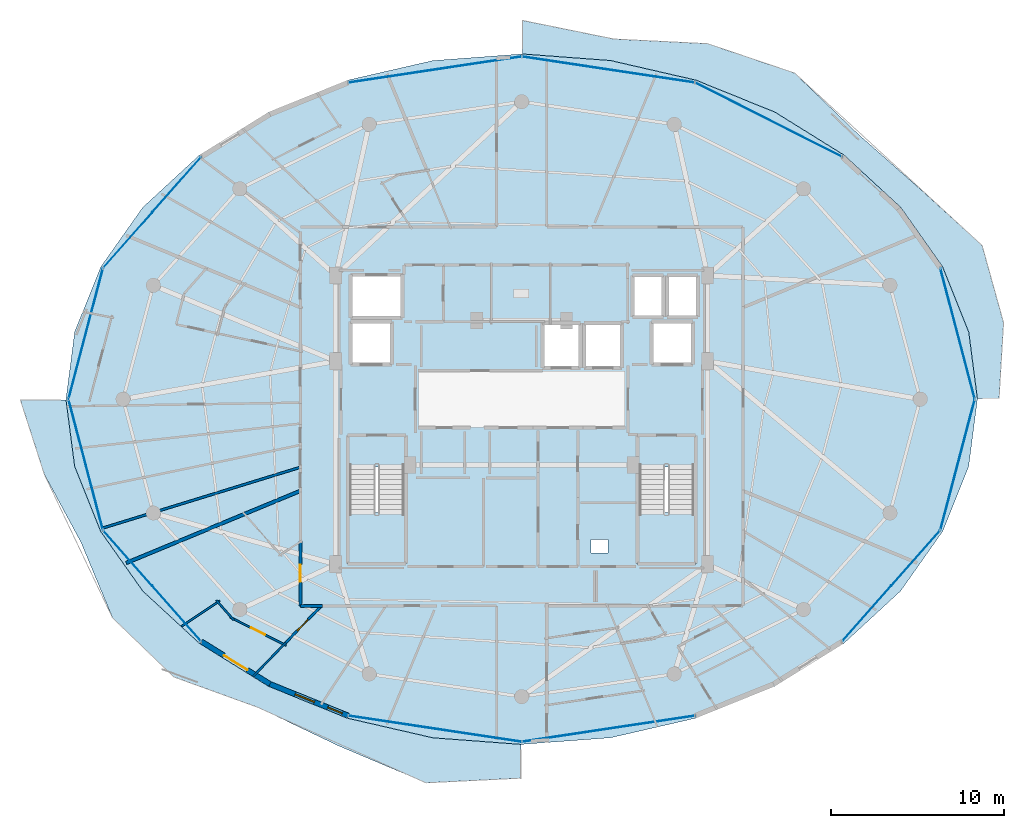
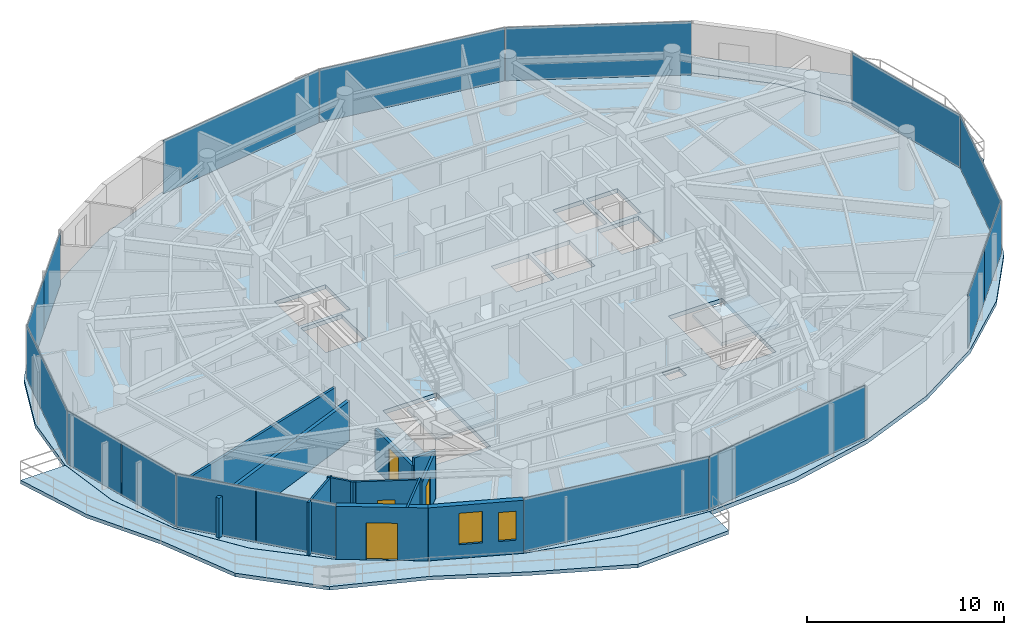
# One storey, part 21 of 30: 16 plates, 11 walls, 5 slabs, 4 doors, 2 windows, 6 openings, 6 elements without a shape of their own.
"""IFC4 building model written with IfcOpenShell, lengths in metres."""

from ifc_helpers import new_model, si_unit, direction, frame, frame_2d, origin, origin_2d, place, context, subcontext, project, spatial, polyline, rectangle, outline, extrude, material, layer, layer_set, type_object, element, fill, aggregate, save


model = new_model("IFC4")

# Units and contexts
model_context = context("Model", 3, precision=1e-05, world=origin(), true_north=direction((0.0, 1.0)))
body_context = subcontext(model_context, "Body", "Model", "MODEL_VIEW")
ifc_project = project(units=[si_unit("LENGTHUNIT", "METRE"), si_unit("AREAUNIT", "SQUARE_METRE"), si_unit("VOLUMEUNIT", "CUBIC_METRE"), si_unit("PLANEANGLEUNIT", "RADIAN"), si_unit("MASSUNIT", "GRAM", prefix="KILO")], contexts=[model_context])

# Site, building, storey
site_placement = place(None, origin())
site = spatial("IfcSite", under=ifc_project, at=site_placement, CompositionType="ELEMENT")
building_placement = place(site_placement, origin())
building = spatial("IfcBuilding", under=site, at=building_placement, Name="Vorneva Point Tower", CompositionType="ELEMENT")
storey_placement = place(building_placement, frame((0.0, 0.0, 252.0)))
storey = spatial("IfcBuildingStorey", under=building, at=storey_placement, Name="L68", CompositionType="ELEMENT", Elevation=252.0)

# Curtain wall, plates
ifc_material_1 = material(Name="Pale anodised aluminium", Category="aluminium")
curtain_wall_type = type_object("IfcCurtainWallType", Name="CW-RES-SYS", PredefinedType="NOTDEFINED", material=ifc_material_1)
curtain_wall_1_placement = place(storey_placement, origin())
curtain_wall_1 = element("IfcCurtainWall", 1, at=curtain_wall_1_placement, inside=storey, type_object=curtain_wall_type, Name="L68 Unitised Curtain Wall CW-L68-R01", PredefinedType="NOTDEFINED")
ifc_material_2 = material(Name="Double low-e laminated glass IGU", Category="glass")
ifc_layer_1 = layer(ifc_material_2, 0.035888671875)
ifc_layer_set_1 = layer_set([ifc_layer_1], Name="Double low-e laminated glass IGU")
plate_type = type_object("IfcPlateType", Name="CW-PNL-VIS", PredefinedType="CURTAIN_PANEL", material=ifc_layer_set_1)
plate_1_placement = place(storey_placement, frame((57.946044921875, 13.598876953125, -0.02001953125), z_axis=(0.0, 0.0, 1.0), x_axis=(0.662188570806, 0.749337238294, 0.0)))
plate_1 = element("IfcPlate", 2, at=plate_1_placement, type_object=plate_type, Name="CW-L68-R01 Glazed Panel 01A", PredefinedType="CURTAIN_PANEL", context=body_context, shape_type="SweptSolid", body=[
    extrude(rectangle(XDim=4.23828125, YDim=0.035888671875, at=origin_2d()), origin(), (0.0, 0.0, 1.0), 3.330078125),
])
plate_2_placement = place(storey_placement, frame((60.785888671875, 16.812255859375, -0.02001953125), z_axis=(0.0, 0.0, 1.0), x_axis=(0.662188570806, 0.749337238294, 0.0)))
plate_2 = element("IfcPlate", 3, at=plate_2_placement, type_object=plate_type, Name="CW-L68-R01 Glazed Panel 01B", PredefinedType="CURTAIN_PANEL", context=body_context, shape_type="SweptSolid", body=[
    extrude(rectangle(XDim=4.23828125, YDim=0.035888671875, at=origin_2d()), origin(), (0.0, 0.0, 1.0), 3.330078125),
])
plate_3_placement = place(storey_placement, frame((63.202880859375, 22.20947265625, -0.02001953125), z_axis=(0.0, 0.0, 1.0), x_axis=(0.254416284022, 0.967094801157, 0.0)))
plate_3 = element("IfcPlate", 4, at=plate_3_placement, type_object=plate_type, Name="CW-L68-R01 Glazed Panel 02", PredefinedType="CURTAIN_PANEL", context=body_context, shape_type="SweptSolid", body=[
    extrude(rectangle(XDim=7.7890625, YDim=0.035888671875, at=origin_2d()), origin(), (0.0, 0.0, 1.0), 3.330078125),
])
plate_4_placement = place(storey_placement, frame((63.202880859375, 29.79052734375, -0.02001953125), z_axis=(0.0, 0.0, 1.0), x_axis=(-0.254416284022, 0.967094801157, 0.0)))
plate_4 = element("IfcPlate", 5, at=plate_4_placement, type_object=plate_type, Name="CW-L68-R01 Glazed Panel 03", PredefinedType="CURTAIN_PANEL", context=body_context, shape_type="SweptSolid", body=[
    extrude(rectangle(XDim=7.7890625, YDim=0.035888671875, at=origin_2d()), origin(), (0.0, 0.0, 1.0), 3.330078125),
])
aggregate(curtain_wall_1, [plate_1, plate_2, plate_3, plate_4])

curtain_wall_2_placement = place(storey_placement, origin())
curtain_wall_2 = element("IfcCurtainWall", 6, at=curtain_wall_2_placement, inside=storey, type_object=curtain_wall_type, Name="L68 Unitised Curtain Wall CW-L68-R02", PredefinedType="NOTDEFINED")
plate_5_placement = place(storey_placement, frame((52.2763671875, 42.15478515625, -0.02001953125), z_axis=(0.0, 0.0, 1.0), x_axis=(-0.892554339087, 0.450939853836, 0.0)))
plate_5 = element("IfcPlate", 7, at=plate_5_placement, type_object=plate_type, Name="CW-L68-R02 Glazed Panel 01", PredefinedType="CURTAIN_PANEL", context=body_context, shape_type="SweptSolid", body=[
    extrude(rectangle(XDim=9.47314453125, YDim=0.035888671875, at=origin_2d()), origin(), (0.0, 0.0, 1.0), 3.330078125),
])
plate_6_placement = place(storey_placement, frame((43.01318359375, 45.055908203125, -0.02001953125), z_axis=(0.0, 0.0, 1.0), x_axis=(-0.988878712919, 0.148724211669, 0.0)))
plate_6 = element("IfcPlate", 8, at=plate_6_placement, type_object=plate_type, Name="CW-L68-R02 Glazed Panel 02", PredefinedType="CURTAIN_PANEL", context=body_context, shape_type="SweptSolid", body=[
    extrude(rectangle(XDim=10.089111328125, YDim=0.035888671875, at=origin_2d()), origin(), (0.0, 0.0, 1.0), 3.330078125),
])
plate_7_placement = place(storey_placement, frame((32.98681640625, 45.055908203125, -0.02001953125), z_axis=(0.0, 0.0, 1.0), x_axis=(-0.988878712919, -0.148724211669, 0.0)))
plate_7 = element("IfcPlate", 9, at=plate_7_placement, type_object=plate_type, Name="CW-L68-R02 Glazed Panel 03", PredefinedType="CURTAIN_PANEL", context=body_context, shape_type="SweptSolid", body=[
    extrude(rectangle(XDim=10.089111328125, YDim=0.035888671875, at=origin_2d()), origin(), (0.0, 0.0, 1.0), 3.330078125),
])
aggregate(curtain_wall_2, [plate_5, plate_6, plate_7])

curtain_wall_3_placement = place(storey_placement, origin())
curtain_wall_3 = element("IfcCurtainWall", 10, at=curtain_wall_3_placement, inside=storey, type_object=curtain_wall_type, Name="L68 Unitised Curtain Wall CW-L68-R03", PredefinedType="NOTDEFINED")
plate_8_placement = place(storey_placement, frame((18.053955078125, 38.401123046875, -0.02001953125), z_axis=(0.0, 0.0, 1.0), x_axis=(-0.662188570806, -0.749337238294, 0.0)))
plate_8 = element("IfcPlate", 11, at=plate_8_placement, type_object=plate_type, Name="CW-L68-R03 Glazed Panel 01A", PredefinedType="CURTAIN_PANEL", context=body_context, shape_type="SweptSolid", body=[
    extrude(rectangle(XDim=4.23828125, YDim=0.035888671875, at=origin_2d()), origin(), (0.0, 0.0, 1.0), 3.330078125),
])
plate_9_placement = place(storey_placement, frame((15.214111328125, 35.187744140625, -0.02001953125), z_axis=(0.0, 0.0, 1.0), x_axis=(-0.662188570806, -0.749337238294, 0.0)))
plate_9 = element("IfcPlate", 12, at=plate_9_placement, type_object=plate_type, Name="CW-L68-R03 Glazed Panel 01B", PredefinedType="CURTAIN_PANEL", context=body_context, shape_type="SweptSolid", body=[
    extrude(rectangle(XDim=4.23828125, YDim=0.035888671875, at=origin_2d()), origin(), (0.0, 0.0, 1.0), 3.330078125),
])
plate_10_placement = place(storey_placement, frame((12.797119140625, 29.79052734375, -0.02001953125), z_axis=(0.0, 0.0, 1.0), x_axis=(-0.254416284022, -0.967094801157, 0.0)))
plate_10 = element("IfcPlate", 13, at=plate_10_placement, type_object=plate_type, Name="CW-L68-R03 Glazed Panel 02", PredefinedType="CURTAIN_PANEL", context=body_context, shape_type="SweptSolid", body=[
    extrude(rectangle(XDim=7.7890625, YDim=0.035888671875, at=origin_2d()), origin(), (0.0, 0.0, 1.0), 3.330078125),
])
plate_11_placement = place(storey_placement, frame((12.298583984375, 24.104736328125, -0.02001953125), z_axis=(0.0, 0.0, 1.0), x_axis=(0.254416284022, -0.967094801157, 0.0)))
plate_11 = element("IfcPlate", 14, at=plate_11_placement, type_object=plate_type, Name="CW-L68-R03 Glazed Panel 03A", PredefinedType="CURTAIN_PANEL", context=body_context, shape_type="SweptSolid", body=[
    extrude(rectangle(XDim=3.869384765625, YDim=0.035888671875, at=origin_2d()), origin(), (0.0, 0.0, 1.0), 3.330078125),
])
plate_12_placement = place(storey_placement, frame((13.2958984375, 20.314208984375, -0.02001953125), z_axis=(0.0, 0.0, 1.0), x_axis=(0.254416284022, -0.967094801157, 0.0)))
plate_12 = element("IfcPlate", 15, at=plate_12_placement, type_object=plate_type, Name="CW-L68-R03 Glazed Panel 03B", PredefinedType="CURTAIN_PANEL", context=body_context, shape_type="SweptSolid", body=[
    extrude(rectangle(XDim=3.869384765625, YDim=0.035888671875, at=origin_2d()), origin(), (0.0, 0.0, 1.0), 3.330078125),
])
plate_13_placement = place(storey_placement, frame((15.214111328125, 16.812255859375, -0.02001953125), z_axis=(0.0, 0.0, 1.0), x_axis=(0.662188570806, -0.749337238294, 0.0)))
plate_13 = element("IfcPlate", 16, at=plate_13_placement, type_object=plate_type, Name="CW-L68-R03 Glazed Panel 04A", PredefinedType="CURTAIN_PANEL", context=body_context, shape_type="SweptSolid", body=[
    extrude(rectangle(XDim=4.23828125, YDim=0.035888671875, at=origin_2d()), origin(), (0.0, 0.0, 1.0), 3.330078125),
])
plate_14_placement = place(storey_placement, frame((18.053955078125, 13.598876953125, -0.02001953125), z_axis=(0.0, 0.0, 1.0), x_axis=(0.662188570806, -0.749337238294, 0.0)))
plate_14 = element("IfcPlate", 17, at=plate_14_placement, type_object=plate_type, Name="CW-L68-R03 Glazed Panel 04B", PredefinedType="CURTAIN_PANEL", context=body_context, shape_type="SweptSolid", body=[
    extrude(rectangle(XDim=4.23828125, YDim=0.035888671875, at=origin_2d()), origin(), (0.0, 0.0, 1.0), 3.330078125),
])
aggregate(curtain_wall_3, [plate_8, plate_9, plate_10, plate_11, plate_12, plate_13, plate_14])

curtain_wall_4_placement = place(storey_placement, origin())
curtain_wall_4 = element("IfcCurtainWall", 18, at=curtain_wall_4_placement, inside=storey, type_object=curtain_wall_type, Name="L68 Unitised Curtain Wall CW-L68-R04", PredefinedType="NOTDEFINED")
plate_15_placement = place(storey_placement, frame((32.98681640625, 6.944091796875, -0.02001953125), z_axis=(0.0, 0.0, 1.0), x_axis=(0.988878712919, -0.148724211669, 0.0)))
plate_15 = element("IfcPlate", 19, at=plate_15_placement, type_object=plate_type, Name="CW-L68-R04 Glazed Panel 01", PredefinedType="CURTAIN_PANEL", context=body_context, shape_type="SweptSolid", body=[
    extrude(rectangle(XDim=10.089111328125, YDim=0.035888671875, at=origin_2d()), origin(), (0.0, 0.0, 1.0), 3.330078125),
])
plate_16_placement = place(storey_placement, frame((43.01318359375, 6.944091796875, -0.02001953125), z_axis=(0.0, 0.0, 1.0), x_axis=(0.988878712919, 0.148724211669, 0.0)))
plate_16 = element("IfcPlate", 20, at=plate_16_placement, type_object=plate_type, Name="CW-L68-R04 Glazed Panel 02", PredefinedType="CURTAIN_PANEL", context=body_context, shape_type="SweptSolid", body=[
    extrude(rectangle(XDim=10.089111328125, YDim=0.035888671875, at=origin_2d()), origin(), (0.0, 0.0, 1.0), 3.330078125),
])
aggregate(curtain_wall_4, [plate_15, plate_16])

# Slabs
ifc_material_3 = material(Name="Concrete B50 (C40/50)", Category="concrete")
ifc_layer_2 = layer(ifc_material_3, 0.219970703125)
ifc_layer_set_2 = layer_set([ifc_layer_2], Name="Concrete B50 (C40/50)")
slab_type_1 = type_object("IfcSlabType", Name="SLB-BAL-220", PredefinedType="FLOOR", material=ifc_layer_set_2)
slab_1_placement = place(storey_placement, frame((0.0, 0.0, -0.219970703125)))
element("IfcSlab", 21, at=slab_1_placement, inside=storey, type_object=slab_type_1, Name="L68 Cantilevered Wave Balcony NE", PredefinedType="FLOOR", context=body_context, shape_type="SweptSolid", body=[
    extrude(outline(polyline([(38.050048828125, 47.89990234375), (38.050048828125, 45.960205078125), (43.140869140625, 45.58056640625), (43.14111328125, 45.58056640625), (43.1416015625, 45.580322265625), (48.084716796875, 44.444580078125), (48.0849609375, 44.4443359375), (48.085205078125, 44.4443359375), (52.640869140625, 42.599853515625), (52.64111328125, 42.599609375), (52.641357421875, 42.599609375), (56.634521484375, 40.1171875), (56.634765625, 40.1171875), (56.635009765625, 40.11669921875), (59.911865234375, 37.092041015625), (59.912109375, 37.091796875), (59.91259765625, 37.091552734375), (62.347412109375, 33.640625), (62.34765625, 33.640380859375), (62.347900390625, 33.639892578125), (63.847412109375, 29.8955078125), (63.847412109375, 29.895263671875), (63.84765625, 29.894775390625), (63.84765625, 29.89453125), (64.347412109375, 26.050048828125), (65.60302734375, 26.050048828125), (65.86181640625, 30.424072265625), (64.62255859375, 34.88427734375), (61.079833984375, 38.121826171875), (57.5107421875, 41.273681640625), (53.78271484375, 44.855224609375), (48.747802734375, 46.556884765625), (43.328857421875, 46.82568359375), (38.050048828125, 47.89990234375)])), origin(), (0.0, 0.0, 1.0), 0.219970703125),
])
slab_2_placement = place(storey_placement, frame((0.0, 0.0, -0.219970703125)))
element("IfcSlab", 22, at=slab_2_placement, inside=storey, type_object=slab_type_1, Name="L68 Cantilevered Wave Balcony SW", PredefinedType="FLOOR", context=body_context, shape_type="SweptSolid", body=[
    extrude(outline(polyline([(37.949951171875, 4.08740234375), (37.949951171875, 6.039794921875), (32.859130859375, 6.41943359375), (32.85888671875, 6.41943359375), (32.8583984375, 6.419677734375), (27.915283203125, 7.555419921875), (27.9150390625, 7.5556640625), (27.914794921875, 7.5556640625), (23.359130859375, 9.400146484375), (23.35888671875, 9.400390625), (23.358642578125, 9.400390625), (19.365478515625, 11.8828125), (19.365234375, 11.8828125), (19.364990234375, 11.88330078125), (16.088134765625, 14.907958984375), (16.087890625, 14.908203125), (16.08740234375, 14.908447265625), (13.652587890625, 18.359375), (13.65234375, 18.359619140625), (13.652099609375, 18.360107421875), (12.152587890625, 22.1044921875), (12.152587890625, 22.104736328125), (12.15234375, 22.105224609375), (12.15234375, 22.10546875), (11.652587890625, 25.949951171875), (9.01611328125, 25.949951171875), (10.40234375, 21.6455078125), (12.51220703125, 17.736328125), (14.3369140625, 13.363525390625), (17.891357421875, 9.937255859375), (22.742919921875, 8.183349609375), (27.41259765625, 5.954345703125), (32.466552734375, 3.81640625), (37.949951171875, 4.08740234375)])), origin(), (0.0, 0.0, 1.0), 0.219970703125),
])

# Stair, slab
stair_type = type_object("IfcStairType", Name="ST-DOG-1500", PredefinedType="HALF_TURN_STAIR", material=ifc_material_3)
stair_1_placement = place(storey_placement, origin())
stair_1 = element("IfcStair", 23, at=stair_1_placement, inside=storey, type_object=stair_type, Name="L68 ST1", PredefinedType="HALF_TURN_STAIR")
ifc_layer_3 = layer(ifc_material_3, 0.199951171875)
ifc_layer_set_3 = layer_set([ifc_layer_3], Name="Concrete B50 (C40/50)")
slab_type_2 = type_object("IfcSlabType", Name="SLB-LND-200", PredefinedType="LANDING", material=ifc_layer_set_3)
slab_3_placement = place(storey_placement, frame((0.0, 0.0, 1.574951171875)))
slab_3 = element("IfcSlab", 24, at=slab_3_placement, type_object=slab_type_2, Name="ST1 landing 1", PredefinedType="LANDING", context=body_context, shape_type="SweptSolid", body=[
    extrude(outline(polyline([(27.929931640625, 16.47998046875), (31.320068359375, 16.47998046875), (31.320068359375, 19.43994140625), (27.929931640625, 19.43994140625), (27.929931640625, 16.47998046875)])), origin(), (0.0, 0.0, 1.0), 0.199951171875),
])
aggregate(stair_1, [slab_3])

stair_2_placement = place(storey_placement, origin())
stair_2 = element("IfcStair", 25, at=stair_2_placement, inside=storey, type_object=stair_type, Name="L68 ST2", PredefinedType="HALF_TURN_STAIR")
slab_4_placement = place(storey_placement, frame((0.0, 0.0, 1.574951171875)))
slab_4 = element("IfcSlab", 26, at=slab_4_placement, type_object=slab_type_2, Name="ST2 landing 1", PredefinedType="LANDING", context=body_context, shape_type="SweptSolid", body=[
    extrude(outline(polyline([(44.679931640625, 16.47998046875), (48.070068359375, 16.47998046875), (48.070068359375, 19.43994140625), (44.679931640625, 19.43994140625), (44.679931640625, 16.47998046875)])), origin(), (0.0, 0.0, 1.0), 0.199951171875),
])
aggregate(stair_2, [slab_4])

# Slab
ifc_layer_4 = layer(ifc_material_3, 0.260009765625)
ifc_layer_set_4 = layer_set([ifc_layer_4], Name="Concrete B50 (C40/50)")
slab_type_3 = type_object("IfcSlabType", Name="SLB-TYP-260", PredefinedType="FLOOR", material=ifc_layer_set_4)
slab_5_placement = place(storey_placement, frame((0.0, 0.0, -0.260009765625)))
element("IfcSlab", 27, at=slab_5_placement, inside=storey, type_object=slab_type_3, Name="L68 Structural Floor Plate", PredefinedType="FLOOR", context=body_context, shape_type="SweptSolid", body=[
    extrude(outline(polyline([(64.35009765625, 26.0), (63.84375, 29.89404296875), (62.34423828125, 33.638427734375), (59.9091796875, 37.089111328125), (56.63232421875, 40.114013671875), (52.639404296875, 42.59619140625), (48.083740234375, 44.440673828125), (43.140625, 45.576416015625), (38.0, 45.9599609375), (32.859375, 45.576416015625), (27.916259765625, 44.440673828125), (23.360595703125, 42.59619140625), (19.36767578125, 40.114013671875), (16.0908203125, 37.089111328125), (13.65576171875, 33.638427734375), (12.15625, 29.89404296875), (11.64990234375, 26.0), (12.15625, 22.10595703125), (13.65576171875, 18.361572265625), (16.0908203125, 14.910888671875), (19.36767578125, 11.885986328125), (23.360595703125, 9.40380859375), (27.916259765625, 7.559326171875), (32.859375, 6.423583984375), (38.0, 6.0400390625), (43.140625, 6.423583984375), (48.083740234375, 7.559326171875), (52.639404296875, 9.40380859375), (56.63232421875, 11.885986328125), (59.9091796875, 14.910888671875), (62.34423828125, 18.361572265625), (63.84375, 22.10595703125), (64.35009765625, 26.0)]), holes=[polyline([(39.199951171875, 27.800048828125), (41.39990234375, 27.800048828125), (41.39990234375, 30.39990234375), (39.199951171875, 30.39990234375), (39.199951171875, 27.800048828125)]), polyline([(41.60009765625, 27.800048828125), (43.800048828125, 27.800048828125), (43.800048828125, 30.39990234375), (41.60009765625, 30.39990234375), (41.60009765625, 27.800048828125)]), polyline([(44.39990234375, 30.739990234375), (46.199951171875, 30.739990234375), (46.199951171875, 33.159912109375), (44.39990234375, 33.159912109375), (44.39990234375, 30.739990234375)]), polyline([(46.39990234375, 30.739990234375), (48.199951171875, 30.739990234375), (48.199951171875, 33.159912109375), (46.39990234375, 33.159912109375), (46.39990234375, 30.739990234375)]), polyline([(28.10009765625, 28.0), (30.5, 28.0), (30.5, 30.5), (28.10009765625, 30.5), (28.10009765625, 28.0)]), polyline([(45.5, 28.0), (47.89990234375, 28.0), (47.89990234375, 30.5), (45.5, 30.5), (45.5, 28.0)]), polyline([(28.10009765625, 30.699951171875), (31.10009765625, 30.699951171875), (31.10009765625, 33.199951171875), (28.10009765625, 33.199951171875), (28.10009765625, 30.699951171875)]), polyline([(28.050048828125, 16.60009765625), (31.199951171875, 16.60009765625), (31.199951171875, 22.080078125), (28.050048828125, 22.080078125), (28.050048828125, 16.60009765625)]), polyline([(44.800048828125, 16.60009765625), (47.949951171875, 16.60009765625), (47.949951171875, 22.080078125), (44.800048828125, 22.080078125), (44.800048828125, 16.60009765625)]), polyline([(42.0, 17.10009765625), (43.0, 17.10009765625), (43.0, 17.89990234375), (42.0, 17.89990234375), (42.0, 17.10009765625)])]), origin(), (0.0, 0.0, 1.0), 0.260009765625),
])

# Wall, opening, door
ifc_material_4 = material(Name="Precast concrete B50 (C40/50)", Category="concrete")
ifc_layer_5 = layer(ifc_material_4, 0.300048828125)
ifc_layer_set_5 = layer_set([ifc_layer_5], Name="Precast concrete B50 (C40/50)")
wall_type_1 = type_object("IfcWallType", Name="WL-EXT-300", PredefinedType="STANDARD", material=ifc_layer_set_5)
wall_1_placement = place(storey_placement, frame((19.473876953125, 11.9921875, 0.0), z_axis=(0.0, 0.0, 1.0), x_axis=(0.849702323036, -0.527262707032, 0.0)))
wall_1 = element("IfcWall", 28, at=wall_1_placement, inside=storey, type_object=wall_type_1, Name="L68 Pale-Metal Facade Spandrel Wall 11.1", PredefinedType="STANDARD", context=body_context, shape_type="SweptSolid", body=[
    extrude(rectangle(XDim=4.67236328125, YDim=0.300048828125, at=frame_2d((2.336181640625, 0.0))), origin(), (0.0, 0.0, 1.0), 3.2900390625),
])
opening_1_placement = place(wall_1_placement, frame((1.536376953125, 0.0, 0.0)))
opening_1 = element("IfcOpeningElement", 29, at=opening_1_placement, cuts=wall_1, Name="Opening BD-01", PredefinedType="OPENING", context=body_context, shape_type="SweptSolid", body=[
    extrude(rectangle(XDim=1.60009765625, YDim=2.300048828125, at=frame_2d((0.800048828125, 1.14990234375))), frame((0.0, 0.1650390625, 0.0), z_axis=(0.0, -1.0, 0.0), x_axis=(1.0, 0.0, 0.0)), (0.0, 0.0, 1.0), 0.329833984375),
])
door_type_1 = type_object("IfcDoorType", Name="DR-BAL-1600", OperationType="SLIDING_TO_LEFT", PredefinedType="DOOR", material=ifc_material_1)
door_1_placement = place(opening_1_placement, origin())
door_1 = element("IfcDoor", 30, at=door_1_placement, inside=storey, type_object=door_type_1, Name="L68 Balcony Terrace Access Door 11", OperationType="SLIDING_TO_LEFT", OverallHeight=2.300048828125, OverallWidth=1.60009765625, PredefinedType="DOOR", context=body_context, shape_type="SweptSolid", body=[
    extrude(rectangle(XDim=1.60009765625, YDim=2.300048828125, at=frame_2d((0.800048828125, 1.14990234375))), frame((0.0, 0.02490234375, 0.0), z_axis=(0.0, -1.0, 0.0), x_axis=(1.0, 0.0, 0.0)), (0.0, 0.0, 1.0), 0.050048828125),
])
fill(opening_1, door_1)

# Wall, openings, windows
wall_2_placement = place(storey_placement, frame((23.444091796875, 9.528564453125, 0.0), z_axis=(0.0, 0.0, 1.0), x_axis=(0.927147375511, -0.374696869594, 0.0)))
wall_2 = element("IfcWall", 31, at=wall_2_placement, inside=storey, type_object=wall_type_1, Name="L68 Pale-Metal Facade Spandrel Wall 11.2", PredefinedType="STANDARD", context=body_context, shape_type="SweptSolid", body=[
    extrude(rectangle(XDim=4.885498046875, YDim=0.300048828125, at=frame_2d((2.44287109375, 0.0))), origin(), (0.0, 0.0, 1.0), 3.2900390625),
])
opening_2_placement = place(wall_2_placement, frame((1.573974609375, 0.0, 0.85009765625)))
opening_2 = element("IfcOpeningElement", 32, at=opening_2_placement, cuts=wall_2, Name="Opening W-04", PredefinedType="OPENING", context=body_context, shape_type="SweptSolid", body=[
    extrude(rectangle(XDim=1.199951171875, YDim=1.949951171875, at=frame_2d((0.60009765625, 0.97509765625))), frame((0.0, 0.1650390625, 0.0), z_axis=(0.0, -1.0, 0.0), x_axis=(1.0, 0.0, 0.0)), (0.0, 0.0, 1.0), 0.329833984375),
])
opening_3_placement = place(wall_2_placement, frame((3.6064453125, 0.0, 0.85009765625)))
opening_3 = element("IfcOpeningElement", 33, at=opening_3_placement, cuts=wall_2, Name="Opening W-08", PredefinedType="OPENING", context=body_context, shape_type="SweptSolid", body=[
    extrude(rectangle(XDim=0.89990234375, YDim=1.800048828125, at=frame_2d((0.449951171875, 0.89990234375))), frame((0.0, 0.1650390625, 0.0), z_axis=(0.0, -1.0, 0.0), x_axis=(1.0, 0.0, 0.0)), (0.0, 0.0, 1.0), 0.329833984375),
])
window_type_1 = type_object("IfcWindowType", Name="WN-CAS-900", PartitioningType="SINGLE_PANEL", PredefinedType="WINDOW", material=ifc_material_2)
window_1_placement = place(opening_3_placement, origin())
window_1 = element("IfcWindow", 34, at=window_1_placement, inside=storey, type_object=window_type_1, Name="L68 Dwelling Vision Window 03", OverallHeight=1.800048828125, OverallWidth=0.89990234375, PartitioningType="SINGLE_PANEL", PredefinedType="WINDOW", context=body_context, shape_type="SweptSolid", body=[
    extrude(rectangle(XDim=0.89990234375, YDim=1.800048828125, at=frame_2d((0.449951171875, 0.89990234375))), frame((0.0, 0.030029296875, 0.0), z_axis=(0.0, -1.0, 0.0), x_axis=(1.0, 0.0, 0.0)), (0.0, 0.0, 1.0), 0.06005859375),
])
fill(opening_3, window_1)
window_type_2 = type_object("IfcWindowType", Name="WN-RES-1200", PartitioningType="SINGLE_PANEL", PredefinedType="WINDOW", material=ifc_material_2)
window_2_placement = place(opening_2_placement, origin())
window_2 = element("IfcWindow", 35, at=window_2_placement, inside=storey, type_object=window_type_2, Name="L68 Dwelling Vision Window 02", OverallHeight=1.949951171875, OverallWidth=1.199951171875, PartitioningType="SINGLE_PANEL", PredefinedType="WINDOW", context=body_context, shape_type="SweptSolid", body=[
    extrude(rectangle(XDim=1.199951171875, YDim=1.949951171875, at=frame_2d((0.60009765625, 0.97509765625))), frame((0.0, 0.030029296875, 0.0), z_axis=(0.0, -1.0, 0.0), x_axis=(1.0, 0.0, 0.0)), (0.0, 0.0, 1.0), 0.06005859375),
])
fill(opening_2, window_2)

# Wall
ifc_material_5 = material(Name="Fire-rated acoustic gypsum stud partition", Category="gypsum")
ifc_layer_6 = layer(ifc_material_5, 0.110107421875)
ifc_layer_set_6 = layer_set([ifc_layer_6], Name="Fire-rated acoustic gypsum stud partition")
wall_type_2 = type_object("IfcWallType", Name="WL-PART-110", PredefinedType="PARTITIONING", material=ifc_layer_set_6)
wall_3_placement = place(storey_placement, frame((20.33935546875, 14.373779296875, 0.0), z_axis=(0.0, 0.0, 1.0), x_axis=(0.662352602393, -0.749192251764, 0.0)))
element("IfcWall", 36, at=wall_3_placement, inside=storey, type_object=wall_type_2, Name="L68 Interior Partition 100", PredefinedType="PARTITIONING", context=body_context, shape_type="SweptSolid", body=[
    extrude(rectangle(XDim=1.523681640625, YDim=0.110107421875, at=frame_2d((0.76171875, 0.0))), origin(), (0.0, 0.0, 1.0), 3.2900390625),
])

# Wall, opening, door
wall_4_placement = place(storey_placement, frame((21.131103515625, 13.400146484375, 0.0), z_axis=(0.0, 0.0, 1.0), x_axis=(0.892570631547, -0.450907604394, 0.0)))
wall_4 = element("IfcWall", 37, at=wall_4_placement, inside=storey, type_object=wall_type_2, Name="L68 Interior Partition 101", PredefinedType="PARTITIONING", context=body_context, shape_type="SweptSolid", body=[
    extrude(rectangle(XDim=3.64453125, YDim=0.110107421875, at=frame_2d((1.822265625, 0.0))), origin(), (0.0, 0.0, 1.0), 3.2900390625),
])
opening_4_placement = place(wall_4_placement, frame((1.372314453125, 0.0, 0.0)))
opening_4 = element("IfcOpeningElement", 38, at=opening_4_placement, cuts=wall_4, Name="Opening ID-01", PredefinedType="OPENING", context=body_context, shape_type="SweptSolid", body=[
    extrude(rectangle(XDim=0.89990234375, YDim=2.10009765625, at=frame_2d((0.449951171875, 1.050048828125))), frame((0.0, 0.06982421875, 0.0), z_axis=(0.0, -1.0, 0.0), x_axis=(1.0, 0.0, 0.0)), (0.0, 0.0, 1.0), 0.139892578125),
])
ifc_material_6 = material(Name="Engineered oak fire-rated door leaf", Category="wood")
door_type_2 = type_object("IfcDoorType", Name="DR-ROOM-900", OperationType="NOTDEFINED", PredefinedType="DOOR", material=ifc_material_6)
door_2_placement = place(opening_4_placement, origin())
door_2 = element("IfcDoor", 39, at=door_2_placement, inside=storey, type_object=door_type_2, Name="L68 Door Living and Dining Room L68-03 / Kitchen L68-03", OperationType="SINGLE_SWING_RIGHT", OverallHeight=2.10009765625, OverallWidth=0.89990234375, PredefinedType="DOOR", context=body_context, shape_type="SweptSolid", body=[
    extrude(rectangle(XDim=0.89990234375, YDim=2.10009765625, at=frame_2d((0.449951171875, 1.050048828125))), frame((0.0, 0.02490234375, 0.0), z_axis=(0.0, -1.0, 0.0), x_axis=(1.0, 0.0, 0.0)), (0.0, 0.0, 1.0), 0.050048828125),
])
fill(opening_4, door_2)

# Walls
wall_5_placement = place(storey_placement, frame((18.32763671875, 12.8642578125, 0.0), z_axis=(0.0, 0.0, 1.0), x_axis=(0.831712526046, 0.555206514748, 0.0)))
element("IfcWall", 40, at=wall_5_placement, inside=storey, type_object=wall_type_2, Name="L68 Interior Partition 102", PredefinedType="PARTITIONING", context=body_context, shape_type="SweptSolid", body=[
    extrude(rectangle(XDim=2.669921875, YDim=0.110107421875, at=frame_2d((1.3349609375, 0.0))), origin(), (0.0, 0.0, 1.0), 3.2900390625),
])
wall_6_placement = place(storey_placement, frame((22.469482421875, 9.973388671875, 0.0), z_axis=(0.0, 0.0, 1.0), x_axis=(0.695944713466, 0.718095366786, 0.0)))
element("IfcWall", 41, at=wall_6_placement, inside=storey, type_object=wall_type_2, Name="L68 Interior Partition 104", PredefinedType="PARTITIONING", context=body_context, shape_type="SweptSolid", body=[
    extrude(rectangle(XDim=2.71142578125, YDim=0.110107421875, at=frame_2d((1.355712890625, 0.0))), origin(), (0.0, 0.0, 1.0), 3.2900390625),
])
ifc_layer_7 = layer(ifc_material_5, 0.139892578125)
ifc_layer_set_7 = layer_set([ifc_layer_7], Name="Fire-rated acoustic gypsum stud partition")
wall_type_3 = type_object("IfcWallType", Name="WL-PART-140", PredefinedType="PARTITIONING", material=ifc_layer_set_7)
wall_7_placement = place(storey_placement, frame((13.7470703125, 18.5390625, 0.0), z_axis=(0.0, 0.0, 1.0), x_axis=(0.955802794564, 0.294008533725, 0.0)))
element("IfcWall", 42, at=wall_7_placement, inside=storey, type_object=wall_type_3, Name="L68 Interior Partition 096", PredefinedType="PARTITIONING", context=body_context, shape_type="SweptSolid", body=[
    extrude(rectangle(XDim=11.982421875, YDim=0.139892578125, at=frame_2d((5.9912109375, 0.0))), origin(), (0.0, 0.0, 1.0), 2.48193359375),
])

# Wall, opening, door
wall_8_placement = place(storey_placement, frame((24.259033203125, 11.820068359375, 0.0), z_axis=(0.0, 0.0, 1.0), x_axis=(0.695894072482, 0.718144442215, 0.0)))
wall_8 = element("IfcWall", 43, at=wall_8_placement, inside=storey, type_object=wall_type_3, Name="L68 Interior Partition 103", PredefinedType="PARTITIONING", context=body_context, shape_type="SweptSolid", body=[
    extrude(rectangle(XDim=3.105224609375, YDim=0.139892578125, at=frame_2d((1.552734375, 0.0))), origin(), (0.0, 0.0, 1.0), 2.8740234375),
])
opening_5_placement = place(wall_8_placement, frame((1.1025390625, 0.0, 0.0)))
opening_5 = element("IfcOpeningElement", 44, at=opening_5_placement, cuts=wall_8, Name="Opening ID-01", PredefinedType="OPENING", context=body_context, shape_type="SweptSolid", body=[
    extrude(rectangle(XDim=0.89990234375, YDim=2.10009765625, at=frame_2d((0.449951171875, 1.050048828125))), frame((0.0, 0.0849609375, 0.0), z_axis=(0.0, -1.0, 0.0), x_axis=(1.0, 0.0, 0.0)), (0.0, 0.0, 1.0), 0.169677734375),
])
door_3_placement = place(opening_5_placement, origin())
door_3 = element("IfcDoor", 45, at=door_3_placement, inside=storey, type_object=door_type_2, Name="L68 Door Living and Dining Room L68-03 / Master Bedroom L68-03.1", OperationType="SINGLE_SWING_RIGHT", OverallHeight=2.10009765625, OverallWidth=0.89990234375, PredefinedType="DOOR", context=body_context, shape_type="SweptSolid", body=[
    extrude(rectangle(XDim=0.89990234375, YDim=2.10009765625, at=frame_2d((0.449951171875, 1.050048828125))), frame((0.0, 0.02490234375, 0.0), z_axis=(0.0, -1.0, 0.0), x_axis=(1.0, 0.0, 0.0)), (0.0, 0.0, 1.0), 0.050048828125),
])
fill(opening_5, door_3)

ifc_material_7 = material(Name="Autoclaved aerated concrete blockwork", Category="masonry")
ifc_layer_8 = layer(ifc_material_7, 0.179931640625)
ifc_layer_set_8 = layer_set([ifc_layer_8], Name="Autoclaved aerated concrete blockwork")
wall_type_4 = type_object("IfcWallType", Name="WL-PART-180", PredefinedType="PARTITIONING", material=ifc_layer_set_8)
wall_9_placement = place(storey_placement, frame((25.199951171875, 17.81201171875, 0.0), z_axis=(0.0, 0.0, 1.0), x_axis=(0.0, -1.0, 0.0)))
wall_9 = element("IfcWall", 46, at=wall_9_placement, inside=storey, type_object=wall_type_4, Name="L68 Interior Partition 046", PredefinedType="PARTITIONING", context=body_context, shape_type="SweptSolid", body=[
    extrude(rectangle(XDim=3.761962890625, YDim=0.179931640625, at=frame_2d((1.880859375, 0.0))), origin(), (0.0, 0.0, 1.0), 2.48193359375),
])
opening_6_placement = place(wall_9_placement, frame((1.381103515625, 0.0, 0.0)))
opening_6 = element("IfcOpeningElement", 47, at=opening_6_placement, cuts=wall_9, Name="Opening UD-01", PredefinedType="OPENING", context=body_context, shape_type="SweptSolid", body=[
    extrude(rectangle(XDim=1.0, YDim=2.14990234375, at=frame_2d((0.5, 1.074951171875))), frame((0.0, 0.10498046875, 0.0), z_axis=(0.0, -1.0, 0.0), x_axis=(1.0, 0.0, 0.0)), (0.0, 0.0, 1.0), 0.209716796875),
])
door_type_3 = type_object("IfcDoorType", Name="DR-UNIT-1000", OperationType="NOTDEFINED", PredefinedType="DOOR", material=ifc_material_6)
door_4_placement = place(opening_6_placement, origin())
door_4 = element("IfcDoor", 48, at=door_4_placement, inside=storey, type_object=door_type_3, Name="L68 Door L68 Circulation Corridor / Living and Dining Room L68-03", OperationType="SINGLE_SWING_LEFT", OverallHeight=2.14990234375, OverallWidth=1.0, PredefinedType="DOOR", context=body_context, shape_type="SweptSolid", body=[
    extrude(rectangle(XDim=1.0, YDim=2.14990234375, at=frame_2d((0.5, 1.074951171875))), frame((0.0, 0.02490234375, 0.0), z_axis=(0.0, -1.0, 0.0), x_axis=(1.0, 0.0, 0.0)), (0.0, 0.0, 1.0), 0.050048828125),
])
fill(opening_6, door_4)

# Walls
wall_10_placement = place(storey_placement, frame((25.199951171875, 14.050048828125, 0.0), z_axis=(0.0, 0.0, 1.0), x_axis=(1.0, 0.0, 0.0)))
element("IfcWall", 49, at=wall_10_placement, inside=storey, type_object=wall_type_4, Name="L68 Interior Partition 047", PredefinedType="PARTITIONING", context=body_context, shape_type="SweptSolid", body=[
    extrude(rectangle(XDim=1.280029296875, YDim=0.179931640625, at=frame_2d((0.64013671875, 0.0))), origin(), (0.0, 0.0, 1.0), 2.971923828125),
])
ifc_layer_9 = layer(ifc_material_7, 0.199951171875)
ifc_layer_set_9 = layer_set([ifc_layer_9], Name="Autoclaved aerated concrete blockwork")
wall_type_5 = type_object("IfcWallType", Name="WL-PART-200", PredefinedType="PARTITIONING", material=ifc_layer_set_9)
wall_11_placement = place(storey_placement, frame((15.133056640625, 16.528076171875, 0.0), z_axis=(0.0, 0.0, 1.0), x_axis=(0.923877013663, 0.382689513347, 0.0)))
element("IfcWall", 50, at=wall_11_placement, inside=storey, type_object=wall_type_5, Name="L68 Interior Partition 097", PredefinedType="PARTITIONING", context=body_context, shape_type="SweptSolid", body=[
    extrude(rectangle(XDim=10.896240234375, YDim=0.199951171875, at=frame_2d((5.4482421875, 0.0))), origin(), (0.0, 0.0, 1.0), 2.48193359375),
])

save(model, "model.ifc")
